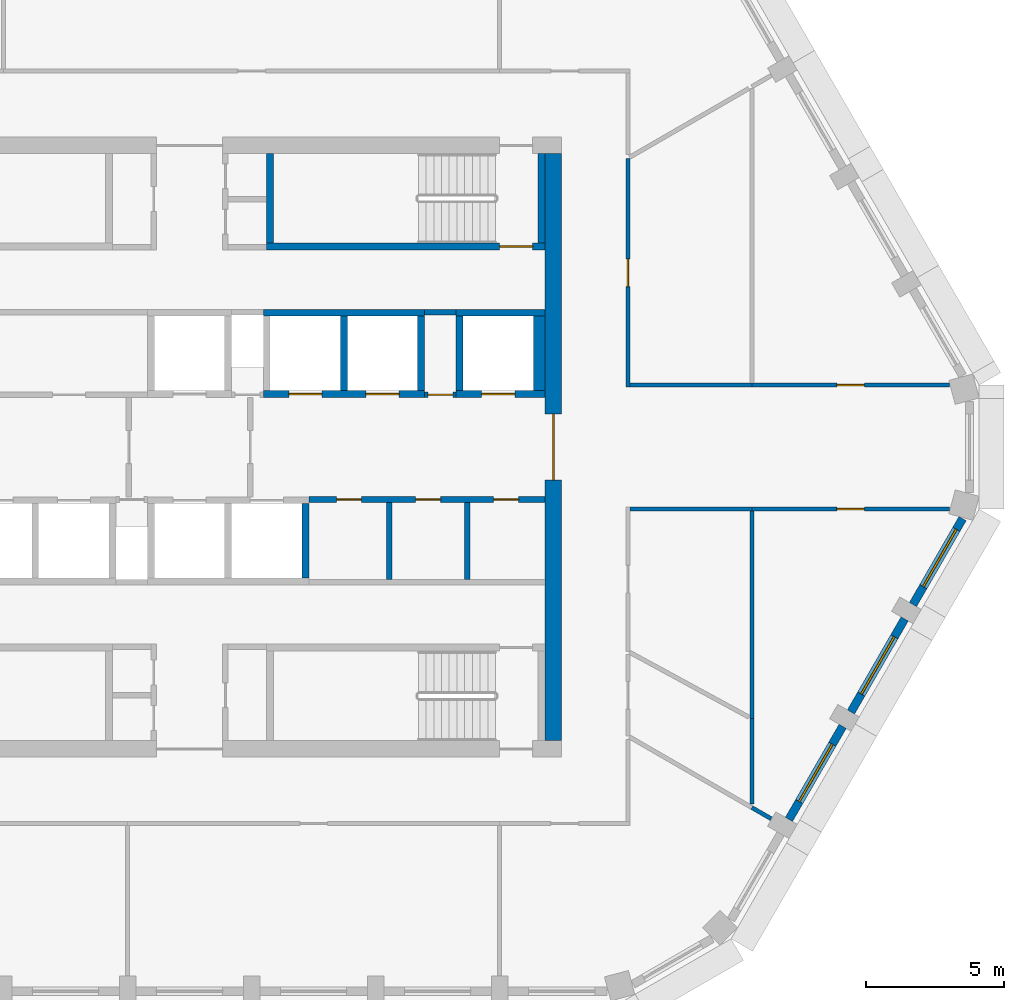
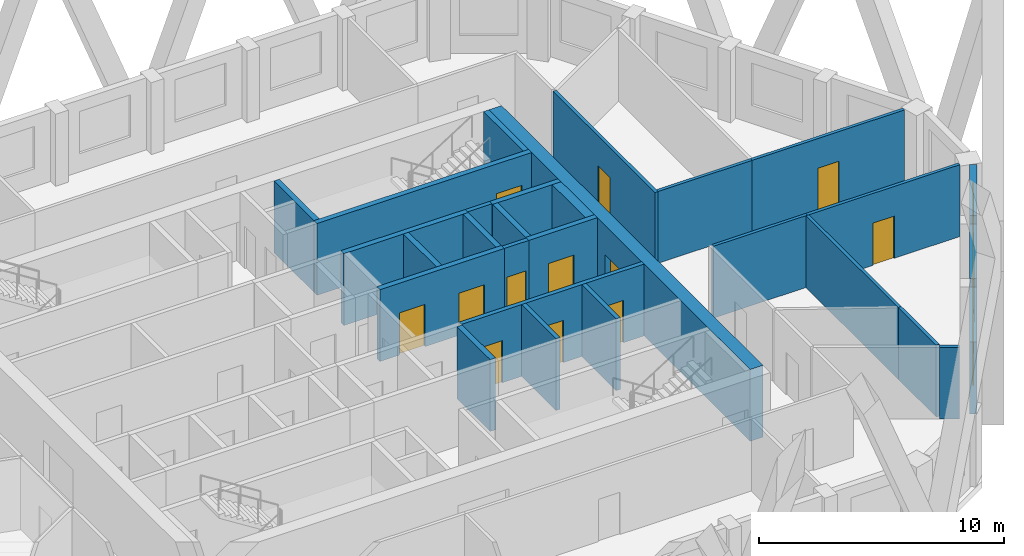
# One storey, part 5 of 14: 29 walls, 12 doors, 3 windows, 15 openings.
"""IFC4 building model written with IfcOpenShell, lengths in metres."""

from ifc_helpers import new_model, si_unit, direction, frame, frame_2d, origin, place, context, subcontext, project, spatial, polyline, rectangle, outline, extrude, material, layer, layer_set, type_object, element, fill, save


model = new_model("IFC4")

# Units and contexts
model_context = context("Model", 3, precision=1e-05, world=origin(), true_north=direction((0.0, 1.0)))
body_context = subcontext(model_context, "Body", "Model", "MODEL_VIEW")
ifc_project = project(units=[si_unit("LENGTHUNIT", "METRE"), si_unit("AREAUNIT", "SQUARE_METRE"), si_unit("VOLUMEUNIT", "CUBIC_METRE"), si_unit("PLANEANGLEUNIT", "RADIAN"), si_unit("MASSUNIT", "GRAM", prefix="KILO")], contexts=[model_context])

# Site, building, storey
site_placement = place(None, origin())
site = spatial("IfcSite", under=ifc_project, at=site_placement, CompositionType="ELEMENT")
building_placement = place(site_placement, origin())
building = spatial("IfcBuilding", under=site, at=building_placement, Name="Dhurran Vertical Campus", CompositionType="ELEMENT")
storey_placement = place(building_placement, frame((0.0, 0.0, 286.5)))
storey = spatial("IfcBuildingStorey", under=building, at=storey_placement, Name="L71", CompositionType="ELEMENT", Elevation=286.5)

# Wall, opening, window
ifc_material_1 = material(Name="Precast concrete C50/60", Category="concrete")
ifc_layer_1 = layer(ifc_material_1, 0.300048828125)
ifc_layer_set_1 = layer_set([ifc_layer_1], Name="Precast concrete C50/60")
wall_type_1 = type_object("IfcWallType", Name="Precast spandrel wall 300", PredefinedType="SOLIDWALL", material=ifc_layer_set_1)
wall_1_placement = place(storey_placement, frame((21.744384765625, -13.506103515625, 0.0), z_axis=(0.0, 0.0, 1.0), x_axis=(0.499984428715, 0.866034393683, 0.0)))
wall_1 = element("IfcWall", 1, at=wall_1_placement, inside=storey, type_object=wall_type_1, Name="EW1 L71.09", PredefinedType="SOLIDWALL", context=body_context, shape_type="SweptSolid", body=[
    extrude(rectangle(XDim=3.89892578125, YDim=0.300048828125, at=frame_2d((1.949462890625, 0.0))), origin(), (0.0, 0.0, 1.0), 3.574951171875),
])
opening_1_placement = place(wall_1_placement, frame((0.74951171875, 0.0, 0.89990234375)))
opening_1 = element("IfcOpeningElement", 2, at=opening_1_placement, cuts=wall_1, Name="Opening WT1", PredefinedType="OPENING", context=body_context, shape_type="SweptSolid", body=[
    extrude(rectangle(XDim=2.39990234375, YDim=2.10009765625, at=frame_2d((1.199951171875, 1.050048828125))), frame((0.0, 0.159912109375, 0.0), z_axis=(0.0, -1.0, 0.0), x_axis=(1.0, 0.0, 0.0)), (0.0, 0.0, 1.0), 0.320068359375),
])
ifc_material_2 = material(Name="Aluminium frame with solar-control glass", Category="aluminium")
window_type = type_object("IfcWindowType", Name="Punched window 2400 x 2100", PartitioningType="SINGLE_PANEL", PredefinedType="WINDOW", material=ifc_material_2)
window_1_placement = place(opening_1_placement, origin())
window_1 = element("IfcWindow", 3, at=window_1_placement, inside=storey, type_object=window_type, Name="WT1 L71.09", OverallHeight=2.10009765625, OverallWidth=2.39990234375, PartitioningType="SINGLE_PANEL", PredefinedType="WINDOW", context=body_context, shape_type="SweptSolid", body=[
    extrude(rectangle(XDim=2.39990234375, YDim=2.10009765625, at=frame_2d((1.199951171875, 1.050048828125))), frame((0.0, 0.030029296875, 0.0), z_axis=(0.0, -1.0, 0.0), x_axis=(1.0, 0.0, 0.0)), (0.0, 0.0, 1.0), 0.06005859375),
])
fill(opening_1, window_1)

wall_2_placement = place(storey_placement, frame((23.994384765625, -9.60888671875, 0.0), z_axis=(0.0, 0.0, 1.0), x_axis=(0.500011542666, 0.866018739521, 0.0)))
wall_2 = element("IfcWall", 4, at=wall_2_placement, inside=storey, type_object=wall_type_1, Name="EW1 L71.10", PredefinedType="SOLIDWALL", context=body_context, shape_type="SweptSolid", body=[
    extrude(rectangle(XDim=3.89892578125, YDim=0.300048828125, at=frame_2d((1.949462890625, 0.0))), origin(), (0.0, 0.0, 1.0), 3.574951171875),
])
opening_2_placement = place(wall_2_placement, frame((0.74951171875, 0.0, 0.89990234375)))
opening_2 = element("IfcOpeningElement", 5, at=opening_2_placement, cuts=wall_2, Name="Opening WT1", PredefinedType="OPENING", context=body_context, shape_type="SweptSolid", body=[
    extrude(rectangle(XDim=2.39990234375, YDim=2.10009765625, at=frame_2d((1.199951171875, 1.050048828125))), frame((0.0, 0.159912109375, 0.0), z_axis=(0.0, -1.0, 0.0), x_axis=(1.0, 0.0, 0.0)), (0.0, 0.0, 1.0), 0.320068359375),
])
window_2_placement = place(opening_2_placement, origin())
window_2 = element("IfcWindow", 6, at=window_2_placement, inside=storey, type_object=window_type, Name="WT1 L71.10", OverallHeight=2.10009765625, OverallWidth=2.39990234375, PartitioningType="SINGLE_PANEL", PredefinedType="WINDOW", context=body_context, shape_type="SweptSolid", body=[
    extrude(rectangle(XDim=2.39990234375, YDim=2.10009765625, at=frame_2d((1.199951171875, 1.050048828125))), frame((0.0, 0.030029296875, 0.0), z_axis=(0.0, -1.0, 0.0), x_axis=(1.0, 0.0, 0.0)), (0.0, 0.0, 1.0), 0.06005859375),
])
fill(opening_2, window_2)

wall_3_placement = place(storey_placement, frame((26.244384765625, -5.7119140625, 0.0), z_axis=(0.0, 0.0, 1.0), x_axis=(0.499969057507, 0.866043267704, 0.0)))
wall_3 = element("IfcWall", 7, at=wall_3_placement, inside=storey, type_object=wall_type_1, Name="EW1 L71.11", PredefinedType="SOLIDWALL", context=body_context, shape_type="SweptSolid", body=[
    extrude(rectangle(XDim=3.599365234375, YDim=0.300048828125, at=frame_2d((1.7998046875, 0.0))), origin(), (0.0, 0.0, 1.0), 3.574951171875),
])
opening_3_placement = place(wall_3_placement, frame((0.74951171875, 0.0, 0.89990234375)))
opening_3 = element("IfcOpeningElement", 8, at=opening_3_placement, cuts=wall_3, Name="Opening WT1", PredefinedType="OPENING", context=body_context, shape_type="SweptSolid", body=[
    extrude(rectangle(XDim=2.39990234375, YDim=2.10009765625, at=frame_2d((1.199951171875, 1.050048828125))), frame((0.0, 0.159912109375, 0.0), z_axis=(0.0, -1.0, 0.0), x_axis=(1.0, 0.0, 0.0)), (0.0, 0.0, 1.0), 0.320068359375),
])
window_3_placement = place(opening_3_placement, origin())
window_3 = element("IfcWindow", 9, at=window_3_placement, inside=storey, type_object=window_type, Name="WT1 L71.11", OverallHeight=2.10009765625, OverallWidth=2.39990234375, PartitioningType="SINGLE_PANEL", PredefinedType="WINDOW", context=body_context, shape_type="SweptSolid", body=[
    extrude(rectangle(XDim=2.39990234375, YDim=2.10009765625, at=frame_2d((1.199951171875, 1.050048828125))), frame((0.0, 0.030029296875, 0.0), z_axis=(0.0, -1.0, 0.0), x_axis=(1.0, 0.0, 0.0)), (0.0, 0.0, 1.0), 0.06005859375),
])
fill(opening_3, window_3)

# Wall, opening, door
ifc_material_3 = material(Name="Concrete C50/60", Category="concrete")
ifc_layer_2 = layer(ifc_material_3, 0.60009765625)
ifc_layer_set_2 = layer_set([ifc_layer_2], Name="Concrete C50/60")
wall_type_2 = type_object("IfcWallType", Name="co-CORE-WALL-C2-600", PredefinedType="SHEAR", material=ifc_layer_set_2)
wall_4_placement = place(storey_placement, frame((13.199951171875, -10.64990234375, 0.0), z_axis=(0.0, 0.0, 1.0), x_axis=(0.0, 1.0, 0.0)))
wall_4 = element("IfcWall", 10, at=wall_4_placement, inside=storey, type_object=wall_type_2, Name="Core wall E L71", PredefinedType="SHEAR", context=body_context, shape_type="SweptSolid", body=[
    extrude(rectangle(XDim=21.2998046875, YDim=0.60009765625, at=frame_2d((10.64990234375, 0.0))), origin(), (0.0, 0.0, 1.0), 3.574951171875),
])
opening_4_placement = place(wall_4_placement, frame((9.449951171875, 0.0, 0.0)))
opening_4 = element("IfcOpeningElement", 11, at=opening_4_placement, cuts=wall_4, Name="Opening CL2", PredefinedType="OPENING", context=body_context, shape_type="SweptSolid", body=[
    extrude(rectangle(XDim=2.39990234375, YDim=2.10009765625, at=frame_2d((1.199951171875, 1.050048828125))), frame((0.0, 0.31005859375, 0.0), z_axis=(0.0, -1.0, 0.0), x_axis=(1.0, 0.0, 0.0)), (0.0, 0.0, 1.0), 0.6201171875),
])
ifc_material_4 = material(Name="Fire-rated glazed door set")
door_type_1 = type_object("IfcDoorType", Name="co-D-LOBBY 2400x2100", OperationType="DOUBLE_DOOR_DOUBLE_SWING", PredefinedType="DOOR", material=ifc_material_4)
door_1_placement = place(opening_4_placement, origin())
door_1 = element("IfcDoor", 12, at=door_1_placement, inside=storey, type_object=door_type_1, Name="Lift lobby door E L71", OperationType="DOUBLE_DOOR_DOUBLE_SWING", OverallHeight=2.10009765625, OverallWidth=2.39990234375, PredefinedType="DOOR", context=body_context, shape_type="SweptSolid", body=[
    extrude(rectangle(XDim=2.39990234375, YDim=2.10009765625, at=frame_2d((1.199951171875, 1.050048828125))), frame((0.0, 0.02490234375, 0.0), z_axis=(0.0, -1.0, 0.0), x_axis=(1.0, 0.0, 0.0)), (0.0, 0.0, 1.0), 0.050048828125),
])
fill(opening_4, door_1)

ifc_material_5 = material(Name="Fire-rated masonry blockwork", Category="masonry")
ifc_layer_3 = layer(ifc_material_5, 0.199951171875)
ifc_layer_set_3 = layer_set([ifc_layer_3], Name="Fire-rated masonry blockwork")
wall_type_3 = type_object("IfcWallType", Name="co-FIRE-PARTITION-200", PredefinedType="PARTITIONING", material=ifc_layer_set_3)
wall_5_placement = place(storey_placement, frame((8.52490234375, 1.89990234375, 0.0), z_axis=(0.0, 0.0, 1.0), x_axis=(1.0, 0.0, 0.0)))
wall_5 = element("IfcWall", 13, at=wall_5_placement, inside=storey, type_object=wall_type_3, Name="Core partition fr-N2-f L71", PredefinedType="PARTITIONING", context=body_context, shape_type="SweptSolid", body=[
    extrude(rectangle(XDim=1.150146484375, YDim=0.199951171875, at=frame_2d((0.5751953125, 0.0))), origin(), (0.0, 0.0, 1.0), 3.574951171875),
])
opening_5_placement = place(wall_5_placement, frame((0.125, 0.0, 0.0)))
opening_5 = element("IfcOpeningElement", 14, at=opening_5_placement, cuts=wall_5, Name="Opening T21-C10", PredefinedType="OPENING", context=body_context, shape_type="SweptSolid", body=[
    extrude(rectangle(XDim=0.89990234375, YDim=2.10009765625, at=frame_2d((0.449951171875, 1.050048828125))), frame((0.0, 0.10986328125, 0.0), z_axis=(0.0, -1.0, 0.0), x_axis=(1.0, 0.0, 0.0)), (0.0, 0.0, 1.0), 0.219970703125),
])
ifc_material_6 = material(Name="Fire-rated timber door set", Category="wood")
door_type_2 = type_object("IfcDoorType", Name="co-D-ROOM 900x2100", OperationType="SINGLE_SWING_LEFT", PredefinedType="DOOR", material=ifc_material_6)
door_2_placement = place(opening_5_placement, origin())
door_2 = element("IfcDoor", 15, at=door_2_placement, inside=storey, type_object=door_type_2, Name="Communications riser door L71", OperationType="SINGLE_SWING_LEFT", OverallHeight=2.10009765625, OverallWidth=0.89990234375, PredefinedType="DOOR", context=body_context, shape_type="SweptSolid", body=[
    extrude(rectangle(XDim=0.89990234375, YDim=2.10009765625, at=frame_2d((0.449951171875, 1.050048828125))), frame((0.0, 0.02490234375, 0.0), z_axis=(0.0, -1.0, 0.0), x_axis=(1.0, 0.0, 0.0)), (0.0, 0.0, 1.0), 0.050048828125),
])
fill(opening_5, door_2)

# Walls
wall_6_placement = place(storey_placement, frame((8.52490234375, 4.89990234375, 0.0), z_axis=(0.0, 0.0, 1.0), x_axis=(1.0, 0.0, 0.0)))
element("IfcWall", 16, at=wall_6_placement, inside=storey, type_object=wall_type_3, Name="Core partition fr-N2-b L71", PredefinedType="PARTITIONING", context=body_context, shape_type="SweptSolid", body=[
    extrude(rectangle(XDim=1.150146484375, YDim=0.199951171875, at=frame_2d((0.5751953125, 0.0))), origin(), (0.0, 0.0, 1.0), 3.574951171875),
])
for number, where, z_axis, x_axis, name in (
    (17, (7.240478515625, -4.800048828125, 0.0), (0.0, 0.0, 1.0), (0.0, 1.0, 0.0), "Core partition fr-S2-cut0 L71"),
    (18, (10.0703125, -4.800048828125, 0.0), (0.0, 0.0, 1.0), (0.0, 1.0, 0.0), "Core partition fr-S2-cut1 L71"),
):
    element("IfcWall", number, at=place(storey_placement, frame(where, z_axis=z_axis, x_axis=x_axis)), inside=storey, type_object=wall_type_3, Name=name, PredefinedType="PARTITIONING", context=body_context, shape_type="SweptSolid", body=[
        extrude(rectangle(XDim=2.800048828125, YDim=0.199951171875, at=frame_2d((1.39990234375, 0.0))), origin(), (0.0, 0.0, 1.0), 3.574951171875),
    ])

# Wall, openings, doors
wall_7_placement = place(storey_placement, frame((4.324951171875, -1.89990234375, 0.0), z_axis=(0.0, 0.0, 1.0), x_axis=(1.0, 0.0, 0.0)))
wall_7 = element("IfcWall", 19, at=wall_7_placement, inside=storey, type_object=wall_type_3, Name="Core partition fr-S2-f L71", PredefinedType="PARTITIONING", context=body_context, shape_type="SweptSolid", body=[
    extrude(rectangle(XDim=8.574951171875, YDim=0.199951171875, at=frame_2d((4.28759765625, 0.0))), origin(), (0.0, 0.0, 1.0), 3.574951171875),
])
opening_6_placement = place(wall_7_placement, frame((1.0078125, 0.0, 0.0)))
opening_6 = element("IfcOpeningElement", 20, at=opening_6_placement, cuts=wall_7, Name="Opening T21-C13", PredefinedType="OPENING", context=body_context, shape_type="SweptSolid", body=[
    extrude(rectangle(XDim=0.89990234375, YDim=2.10009765625, at=frame_2d((0.449951171875, 1.050048828125))), frame((0.0, 0.10986328125, 0.0), z_axis=(0.0, -1.0, 0.0), x_axis=(1.0, 0.0, 0.0)), (0.0, 0.0, 1.0), 0.219970703125),
])
opening_7_placement = place(wall_7_placement, frame((3.88037109375, 0.0, 0.0)))
opening_7 = element("IfcOpeningElement", 21, at=opening_7_placement, cuts=wall_7, Name="Opening T21-C14", PredefinedType="OPENING", context=body_context, shape_type="SweptSolid", body=[
    extrude(rectangle(XDim=0.89990234375, YDim=2.10009765625, at=frame_2d((0.449951171875, 1.050048828125))), frame((0.0, 0.10986328125, 0.0), z_axis=(0.0, -1.0, 0.0), x_axis=(1.0, 0.0, 0.0)), (0.0, 0.0, 1.0), 0.219970703125),
])
opening_8_placement = place(wall_7_placement, frame((6.710205078125, 0.0, 0.0)))
opening_8 = element("IfcOpeningElement", 22, at=opening_8_placement, cuts=wall_7, Name="Opening T21-C15", PredefinedType="OPENING", context=body_context, shape_type="SweptSolid", body=[
    extrude(rectangle(XDim=0.89990234375, YDim=2.10009765625, at=frame_2d((0.449951171875, 1.050048828125))), frame((0.0, 0.10986328125, 0.0), z_axis=(0.0, -1.0, 0.0), x_axis=(1.0, 0.0, 0.0)), (0.0, 0.0, 1.0), 0.219970703125),
])
door_3_placement = place(opening_6_placement, origin())
door_3 = element("IfcDoor", 23, at=door_3_placement, inside=storey, type_object=door_type_2, Name="Housekeeping store door L71", OperationType="SINGLE_SWING_LEFT", OverallHeight=2.10009765625, OverallWidth=0.89990234375, PredefinedType="DOOR", context=body_context, shape_type="SweptSolid", body=[
    extrude(rectangle(XDim=0.89990234375, YDim=2.10009765625, at=frame_2d((0.449951171875, 1.050048828125))), frame((0.0, 0.02490234375, 0.0), z_axis=(0.0, -1.0, 0.0), x_axis=(1.0, 0.0, 0.0)), (0.0, 0.0, 1.0), 0.050048828125),
])
fill(opening_6, door_3)
door_4_placement = place(opening_7_placement, origin())
door_4 = element("IfcDoor", 24, at=door_4_placement, inside=storey, type_object=door_type_2, Name="Print room door L71", OperationType="SINGLE_SWING_LEFT", OverallHeight=2.10009765625, OverallWidth=0.89990234375, PredefinedType="DOOR", context=body_context, shape_type="SweptSolid", body=[
    extrude(rectangle(XDim=0.89990234375, YDim=2.10009765625, at=frame_2d((0.449951171875, 1.050048828125))), frame((0.0, 0.02490234375, 0.0), z_axis=(0.0, -1.0, 0.0), x_axis=(1.0, 0.0, 0.0)), (0.0, 0.0, 1.0), 0.050048828125),
])
fill(opening_7, door_4)
door_5_placement = place(opening_8_placement, origin())
door_5 = element("IfcDoor", 25, at=door_5_placement, inside=storey, type_object=door_type_2, Name="Communications room door L71", OperationType="SINGLE_SWING_LEFT", OverallHeight=2.10009765625, OverallWidth=0.89990234375, PredefinedType="DOOR", context=body_context, shape_type="SweptSolid", body=[
    extrude(rectangle(XDim=0.89990234375, YDim=2.10009765625, at=frame_2d((0.449951171875, 1.050048828125))), frame((0.0, 0.02490234375, 0.0), z_axis=(0.0, -1.0, 0.0), x_axis=(1.0, 0.0, 0.0)), (0.0, 0.0, 1.0), 0.050048828125),
])
fill(opening_8, door_5)

ifc_material_7 = material(Name="Concrete C50/60", Category="concrete")
ifc_layer_4 = layer(ifc_material_7, 0.25)
ifc_layer_set_4 = layer_set([ifc_layer_4], Name="Concrete C50/60")
wall_type_4 = type_object("IfcWallType", Name="co-SHAFT-FRONT-250", PredefinedType="SHEAR", material=ifc_layer_set_4)
wall_8_placement = place(storey_placement, frame((2.675048828125, 1.925048828125, 0.0), z_axis=(0.0, 0.0, 1.0), x_axis=(1.0, 0.0, 0.0)))
wall_8 = element("IfcWall", 26, at=wall_8_placement, inside=storey, type_object=wall_type_4, Name="Lift landing wall N L71", PredefinedType="SHEAR", context=body_context, shape_type="SweptSolid", body=[
    extrude(rectangle(XDim=5.849853515625, YDim=0.25, at=frame_2d((2.9248046875, 0.0))), origin(), (0.0, 0.0, 1.0), 3.574951171875),
])
opening_9_placement = place(wall_8_placement, frame((0.925048828125, 0.0, 0.0)))
opening_9 = element("IfcOpeningElement", 27, at=opening_9_placement, cuts=wall_8, Name="Opening LD", PredefinedType="OPENING", context=body_context, shape_type="SweptSolid", body=[
    extrude(rectangle(XDim=1.199951171875, YDim=2.10009765625, at=frame_2d((0.60009765625, 1.050048828125))), frame((0.0, 0.135009765625, 0.0), z_axis=(0.0, -1.0, 0.0), x_axis=(1.0, 0.0, 0.0)), (0.0, 0.0, 1.0), 0.27001953125),
])
opening_10_placement = place(wall_8_placement, frame((3.72509765625, 0.0, 0.0)))
opening_10 = element("IfcOpeningElement", 28, at=opening_10_placement, cuts=wall_8, Name="Opening LD", PredefinedType="OPENING", context=body_context, shape_type="SweptSolid", body=[
    extrude(rectangle(XDim=1.199951171875, YDim=2.10009765625, at=frame_2d((0.60009765625, 1.050048828125))), frame((0.0, 0.135009765625, 0.0), z_axis=(0.0, -1.0, 0.0), x_axis=(1.0, 0.0, 0.0)), (0.0, 0.0, 1.0), 0.27001953125),
])
ifc_material_8 = material(Name="Stainless steel landing door", Category="steel")
door_type_3 = type_object("IfcDoorType", Name="co-D-LANDING 1200x2100", OperationType="DOUBLE_DOOR_SLIDING", PredefinedType="DOOR", material=ifc_material_8)
door_6_placement = place(opening_9_placement, origin())
door_6 = element("IfcDoor", 29, at=door_6_placement, inside=storey, type_object=door_type_3, Name="Landing door HR1 L71", OperationType="DOUBLE_DOOR_SLIDING", OverallHeight=2.10009765625, OverallWidth=1.199951171875, PredefinedType="DOOR", context=body_context, shape_type="SweptSolid", body=[
    extrude(rectangle(XDim=1.199951171875, YDim=2.10009765625, at=frame_2d((0.60009765625, 1.050048828125))), frame((0.0, 0.02490234375, 0.0), z_axis=(0.0, -1.0, 0.0), x_axis=(1.0, 0.0, 0.0)), (0.0, 0.0, 1.0), 0.050048828125),
])
fill(opening_9, door_6)
door_7_placement = place(opening_10_placement, origin())
door_7 = element("IfcDoor", 30, at=door_7_placement, inside=storey, type_object=door_type_3, Name="Landing door HR2 L71", OperationType="DOUBLE_DOOR_SLIDING", OverallHeight=2.10009765625, OverallWidth=1.199951171875, PredefinedType="DOOR", context=body_context, shape_type="SweptSolid", body=[
    extrude(rectangle(XDim=1.199951171875, YDim=2.10009765625, at=frame_2d((0.60009765625, 1.050048828125))), frame((0.0, 0.02490234375, 0.0), z_axis=(0.0, -1.0, 0.0), x_axis=(1.0, 0.0, 0.0)), (0.0, 0.0, 1.0), 0.050048828125),
])
fill(opening_10, door_7)

# Wall, opening, door
wall_9_placement = place(storey_placement, frame((9.675048828125, 1.925048828125, 0.0), z_axis=(0.0, 0.0, 1.0), x_axis=(1.0, 0.0, 0.0)))
wall_9 = element("IfcWall", 31, at=wall_9_placement, inside=storey, type_object=wall_type_4, Name="Lift landing wall N L71", PredefinedType="SHEAR", context=body_context, shape_type="SweptSolid", body=[
    extrude(rectangle(XDim=3.224853515625, YDim=0.25, at=frame_2d((1.6123046875, 0.0))), origin(), (0.0, 0.0, 1.0), 3.574951171875),
])
opening_11_placement = place(wall_9_placement, frame((0.925048828125, 0.0, 0.0)))
opening_11 = element("IfcOpeningElement", 32, at=opening_11_placement, cuts=wall_9, Name="Opening LD", PredefinedType="OPENING", context=body_context, shape_type="SweptSolid", body=[
    extrude(rectangle(XDim=1.199951171875, YDim=2.10009765625, at=frame_2d((0.60009765625, 1.050048828125))), frame((0.0, 0.135009765625, 0.0), z_axis=(0.0, -1.0, 0.0), x_axis=(1.0, 0.0, 0.0)), (0.0, 0.0, 1.0), 0.27001953125),
])
door_8_placement = place(opening_11_placement, origin())
door_8 = element("IfcDoor", 33, at=door_8_placement, inside=storey, type_object=door_type_3, Name="Landing door SV2 L71", OperationType="DOUBLE_DOOR_SLIDING", OverallHeight=2.10009765625, OverallWidth=1.199951171875, PredefinedType="DOOR", context=body_context, shape_type="SweptSolid", body=[
    extrude(rectangle(XDim=1.199951171875, YDim=2.10009765625, at=frame_2d((0.60009765625, 1.050048828125))), frame((0.0, 0.02490234375, 0.0), z_axis=(0.0, -1.0, 0.0), x_axis=(1.0, 0.0, 0.0)), (0.0, 0.0, 1.0), 0.050048828125),
])
fill(opening_11, door_8)

# Walls
ifc_material_9 = material(Name="Concrete C50/60", Category="concrete")
ifc_layer_5 = layer(ifc_material_9, 0.25)
ifc_layer_set_5 = layer_set([ifc_layer_5], Name="Concrete C50/60")
wall_type_5 = type_object("IfcWallType", Name="co-SHAFT-MASS-250", PredefinedType="SHEAR", material=ifc_layer_set_5)
wall_10_placement = place(storey_placement, origin())
element("IfcWall", 34, at=wall_10_placement, inside=storey, type_object=wall_type_5, Name="Lift shaft wall N L71 2", PredefinedType="SHEAR", context=body_context, shape_type="SweptSolid", body=[
    extrude(outline(polyline([(2.675048828125, 4.75), (8.52490234375, 4.75), (8.52490234375, 5.0), (2.675048828125, 5.0), (2.675048828125, 4.75)])), origin(), (0.0, 0.0, 1.0), 3.574951171875),
])
wall_11_placement = place(storey_placement, origin())
element("IfcWall", 35, at=wall_11_placement, inside=storey, type_object=wall_type_5, Name="Lift shaft wall N L71 3", PredefinedType="SHEAR", context=body_context, shape_type="SweptSolid", body=[
    extrude(outline(polyline([(9.675048828125, 4.75), (12.89990234375, 4.75), (12.89990234375, 5.0), (9.675048828125, 5.0), (9.675048828125, 4.75)])), origin(), (0.0, 0.0, 1.0), 3.574951171875),
])
wall_12_placement = place(storey_placement, origin())
element("IfcWall", 36, at=wall_12_placement, inside=storey, type_object=wall_type_5, Name="Lift shaft wall N L71 7", PredefinedType="SHEAR", context=body_context, shape_type="SweptSolid", body=[
    extrude(outline(polyline([(5.47509765625, 2.050048828125), (5.72509765625, 2.050048828125), (5.72509765625, 4.75), (5.47509765625, 4.75), (5.47509765625, 2.050048828125)])), origin(), (0.0, 0.0, 1.0), 3.574951171875),
])
wall_13_placement = place(storey_placement, origin())
element("IfcWall", 37, at=wall_13_placement, inside=storey, type_object=wall_type_5, Name="Lift shaft wall N L71 8", PredefinedType="SHEAR", context=body_context, shape_type="SweptSolid", body=[
    extrude(outline(polyline([(8.27490234375, 2.050048828125), (8.52490234375, 2.050048828125), (8.52490234375, 4.75), (8.27490234375, 4.75), (8.27490234375, 2.050048828125)])), origin(), (0.0, 0.0, 1.0), 3.574951171875),
])
wall_14_placement = place(storey_placement, origin())
element("IfcWall", 38, at=wall_14_placement, inside=storey, type_object=wall_type_5, Name="Lift shaft wall N L71 9", PredefinedType="SHEAR", context=body_context, shape_type="SweptSolid", body=[
    extrude(outline(polyline([(9.675048828125, 2.050048828125), (9.925048828125, 2.050048828125), (9.925048828125, 4.75), (9.675048828125, 4.75), (9.675048828125, 2.050048828125)])), origin(), (0.0, 0.0, 1.0), 3.574951171875),
])
wall_15_placement = place(storey_placement, origin())
element("IfcWall", 39, at=wall_15_placement, inside=storey, type_object=wall_type_5, Name="Lift shaft wall N L71 10", PredefinedType="SHEAR", context=body_context, shape_type="SweptSolid", body=[
    extrude(outline(polyline([(12.47509765625, 2.050048828125), (12.89990234375, 2.050048828125), (12.89990234375, 4.75), (12.47509765625, 4.75), (12.47509765625, 2.050048828125)])), origin(), (0.0, 0.0, 1.0), 3.574951171875),
])
wall_16_placement = place(storey_placement, origin())
element("IfcWall", 40, at=wall_16_placement, inside=storey, type_object=wall_type_5, Name="Lift shaft wall S L71 9", PredefinedType="SHEAR", context=body_context, shape_type="SweptSolid", body=[
    extrude(outline(polyline([(4.074951171875, -4.75), (4.324951171875, -4.75), (4.324951171875, -2.050048828125), (4.074951171875, -2.050048828125), (4.074951171875, -4.75)])), origin(), (0.0, 0.0, 1.0), 3.574951171875),
])

# Wall, opening, door
ifc_material_10 = material(Name="Concrete C40/50", Category="concrete")
ifc_layer_6 = layer(ifc_material_10, 0.25)
ifc_layer_set_6 = layer_set([ifc_layer_6], Name="Concrete C40/50")
wall_type_6 = type_object("IfcWallType", Name="co-STAIR-WALL-250", PredefinedType="SHEAR", material=ifc_layer_set_6)
wall_17_placement = place(storey_placement, frame((2.800048828125, 7.27490234375, 0.0), z_axis=(0.0, 0.0, 1.0), x_axis=(1.0, 0.0, 0.0)))
wall_17 = element("IfcWall", 41, at=wall_17_placement, inside=storey, type_object=wall_type_6, Name="Stair ST2 enclosure wall L71", PredefinedType="SHEAR", context=body_context, shape_type="SweptSolid", body=[
    extrude(rectangle(XDim=10.099853515625, YDim=0.25, at=frame_2d((5.0498046875, 0.0))), origin(), (0.0, 0.0, 1.0), 3.574951171875),
])
opening_12_placement = place(wall_17_placement, frame((8.449951171875, 0.0, 0.0)))
opening_12 = element("IfcOpeningElement", 42, at=opening_12_placement, cuts=wall_17, Name="Opening SD2", PredefinedType="OPENING", context=body_context, shape_type="SweptSolid", body=[
    extrude(rectangle(XDim=1.199951171875, YDim=2.10009765625, at=frame_2d((0.60009765625, 1.050048828125))), frame((0.0, 0.135009765625, 0.0), z_axis=(0.0, -1.0, 0.0), x_axis=(1.0, 0.0, 0.0)), (0.0, 0.0, 1.0), 0.27001953125),
])
ifc_material_11 = material(Name="Fire-rated steel door set", Category="steel")
door_type_4 = type_object("IfcDoorType", Name="co-D-STAIR 1200x2100", OperationType="SINGLE_SWING_LEFT", PredefinedType="DOOR", material=ifc_material_11)
door_9_placement = place(opening_12_placement, origin())
door_9 = element("IfcDoor", 43, at=door_9_placement, inside=storey, type_object=door_type_4, Name="Stair ST2 door L71", OperationType="SINGLE_SWING_LEFT", OverallHeight=2.10009765625, OverallWidth=1.199951171875, PredefinedType="DOOR", context=body_context, shape_type="SweptSolid", body=[
    extrude(rectangle(XDim=1.199951171875, YDim=2.10009765625, at=frame_2d((0.60009765625, 1.050048828125))), frame((0.0, 0.02490234375, 0.0), z_axis=(0.0, -1.0, 0.0), x_axis=(1.0, 0.0, 0.0)), (0.0, 0.0, 1.0), 0.050048828125),
])
fill(opening_12, door_9)

# Walls
for number, where, z_axis, x_axis, name in (
    (44, (2.925048828125, 7.39990234375, 0.0), (0.0, 0.0, 1.0), (0.0, 1.0, 0.0), "Stair ST2 enclosure wall L71"),
    (45, (12.77490234375, 7.39990234375, 0.0), (0.0, 0.0, 1.0), (0.0, 1.0, 0.0), "Stair ST2 enclosure wall L71"),
):
    element("IfcWall", number, at=place(storey_placement, frame(where, z_axis=z_axis, x_axis=x_axis)), inside=storey, type_object=wall_type_6, Name=name, PredefinedType="SHEAR", context=body_context, shape_type="SweptSolid", body=[
        extrude(rectangle(XDim=3.25, YDim=0.25, at=frame_2d((1.625, 0.0))), origin(), (0.0, 0.0, 1.0), 3.574951171875),
    ])
ifc_material_12 = material(Name="Gypsum board corridor wall on steel studs", Category="steel")
ifc_layer_7 = layer(ifc_material_12, 0.14990234375)
ifc_layer_set_7 = layer_set([ifc_layer_7], Name="Gypsum board corridor wall on steel studs")
wall_type_7 = type_object("IfcWallType", Name="fl-CW-150 corridor wall", PredefinedType="PARTITIONING", material=ifc_layer_set_7)
wall_18_placement = place(storey_placement, frame((20.39990234375, -2.25, 0.0), z_axis=(0.0, 0.0, 1.0), x_axis=(-1.0, 0.0, 0.0)))
element("IfcWall", 46, at=wall_18_placement, inside=storey, type_object=wall_type_7, Name="Partition 71-27", PredefinedType="PARTITIONING", context=body_context, shape_type="SweptSolid", body=[
    extrude(rectangle(XDim=4.4248046875, YDim=0.14990234375, at=frame_2d((2.21240234375, 0.0))), origin(), (0.0, 0.0, 1.0), 3.574951171875),
])

# Wall, opening, door
wall_19_placement = place(storey_placement, frame((15.89990234375, 2.175048828125, 0.0), z_axis=(0.0, 0.0, 1.0), x_axis=(0.0, 1.0, 0.0)))
wall_19 = element("IfcWall", 47, at=wall_19_placement, inside=storey, type_object=wall_type_7, Name="Partition 71-28", PredefinedType="PARTITIONING", context=body_context, shape_type="SweptSolid", body=[
    extrude(rectangle(XDim=8.303955078125, YDim=0.14990234375, at=frame_2d((4.15185546875, 0.0))), origin(), (0.0, 0.0, 1.0), 3.574951171875),
])
opening_13_placement = place(wall_19_placement, frame((3.652099609375, 0.0, 0.0)))
opening_13 = element("IfcOpeningElement", 48, at=opening_13_placement, cuts=wall_19, Name="Opening T21.12", PredefinedType="OPENING", context=body_context, shape_type="SweptSolid", body=[
    extrude(rectangle(XDim=1.0, YDim=2.10009765625, at=frame_2d((0.5, 1.050048828125))), frame((0.0, 0.0849609375, 0.0), z_axis=(0.0, -1.0, 0.0), x_axis=(1.0, 0.0, 0.0)), (0.0, 0.0, 1.0), 0.169921875),
])
ifc_material_13 = material(Name="Solid-core timber door set, fire-rated", Category="wood")
door_type_5 = type_object("IfcDoorType", Name="fl-D-1000x2100", OperationType="SINGLE_SWING_LEFT", PredefinedType="DOOR", material=ifc_material_13)
door_10_placement = place(opening_13_placement, origin())
door_10 = element("IfcDoor", 49, at=door_10_placement, inside=storey, type_object=door_type_5, Name="Door 71.12", OperationType="SINGLE_SWING_RIGHT", OverallHeight=2.10009765625, OverallWidth=1.0, PredefinedType="DOOR", context=body_context, shape_type="SweptSolid", body=[
    extrude(rectangle(XDim=1.0, YDim=2.10009765625, at=frame_2d((0.5, 1.050048828125))), frame((0.0, 0.02490234375, 0.0), z_axis=(0.0, -1.0, 0.0), x_axis=(1.0, 0.0, 0.0)), (0.0, 0.0, 1.0), 0.050048828125),
])
fill(opening_13, door_10)

# Wall
wall_20_placement = place(storey_placement, frame((15.97509765625, 2.25, 0.0), z_axis=(0.0, 0.0, 1.0), x_axis=(1.0, 0.0, 0.0)))
element("IfcWall", 50, at=wall_20_placement, inside=storey, type_object=wall_type_7, Name="Partition 71-29", PredefinedType="PARTITIONING", context=body_context, shape_type="SweptSolid", body=[
    extrude(rectangle(XDim=4.4248046875, YDim=0.14990234375, at=frame_2d((2.21240234375, 0.0))), origin(), (0.0, 0.0, 1.0), 3.574951171875),
])

# Wall, opening, door
wall_21_placement = place(storey_placement, frame((27.56982421875, -2.25, 0.0), z_axis=(0.0, 0.0, 1.0), x_axis=(-1.0, 0.0, 0.0)))
wall_21 = element("IfcWall", 51, at=wall_21_placement, inside=storey, type_object=wall_type_7, Name="Partition 71-35", PredefinedType="PARTITIONING", context=body_context, shape_type="SweptSolid", body=[
    extrude(rectangle(XDim=7.169921875, YDim=0.14990234375, at=frame_2d((3.5849609375, 0.0))), origin(), (0.0, 0.0, 1.0), 3.574951171875),
])
opening_14_placement = place(wall_21_placement, frame((3.0849609375, 0.0, 0.0)))
opening_14 = element("IfcOpeningElement", 52, at=opening_14_placement, cuts=wall_21, Name="Opening T21.14", PredefinedType="OPENING", context=body_context, shape_type="SweptSolid", body=[
    extrude(rectangle(XDim=1.0, YDim=2.10009765625, at=frame_2d((0.5, 1.050048828125))), frame((0.0, 0.0849609375, 0.0), z_axis=(0.0, -1.0, 0.0), x_axis=(1.0, 0.0, 0.0)), (0.0, 0.0, 1.0), 0.169921875),
])
door_11_placement = place(opening_14_placement, origin())
door_11 = element("IfcDoor", 53, at=door_11_placement, inside=storey, type_object=door_type_5, Name="Door 71.14", OperationType="SINGLE_SWING_LEFT", OverallHeight=2.10009765625, OverallWidth=1.0, PredefinedType="DOOR", context=body_context, shape_type="SweptSolid", body=[
    extrude(rectangle(XDim=1.0, YDim=2.10009765625, at=frame_2d((0.5, 1.050048828125))), frame((0.0, 0.02490234375, 0.0), z_axis=(0.0, -1.0, 0.0), x_axis=(1.0, 0.0, 0.0)), (0.0, 0.0, 1.0), 0.050048828125),
])
fill(opening_14, door_11)

wall_22_placement = place(storey_placement, frame((20.39990234375, 2.25, 0.0), z_axis=(0.0, 0.0, 1.0), x_axis=(1.0, 0.0, 0.0)))
wall_22 = element("IfcWall", 54, at=wall_22_placement, inside=storey, type_object=wall_type_7, Name="Partition 71-37", PredefinedType="PARTITIONING", context=body_context, shape_type="SweptSolid", body=[
    extrude(rectangle(XDim=7.169921875, YDim=0.14990234375, at=frame_2d((3.5849609375, 0.0))), origin(), (0.0, 0.0, 1.0), 3.574951171875),
])
opening_15_placement = place(wall_22_placement, frame((3.0849609375, 0.0, 0.0)))
opening_15 = element("IfcOpeningElement", 55, at=opening_15_placement, cuts=wall_22, Name="Opening T21.15", PredefinedType="OPENING", context=body_context, shape_type="SweptSolid", body=[
    extrude(rectangle(XDim=1.0, YDim=2.10009765625, at=frame_2d((0.5, 1.050048828125))), frame((0.0, 0.0849609375, 0.0), z_axis=(0.0, -1.0, 0.0), x_axis=(1.0, 0.0, 0.0)), (0.0, 0.0, 1.0), 0.169921875),
])
door_12_placement = place(opening_15_placement, origin())
door_12 = element("IfcDoor", 56, at=door_12_placement, inside=storey, type_object=door_type_5, Name="Door 71.15", OperationType="SINGLE_SWING_RIGHT", OverallHeight=2.10009765625, OverallWidth=1.0, PredefinedType="DOOR", context=body_context, shape_type="SweptSolid", body=[
    extrude(rectangle(XDim=1.0, YDim=2.10009765625, at=frame_2d((0.5, 1.050048828125))), frame((0.0, 0.02490234375, 0.0), z_axis=(0.0, -1.0, 0.0), x_axis=(1.0, 0.0, 0.0)), (0.0, 0.0, 1.0), 0.050048828125),
])
fill(opening_15, door_12)

# Walls
ifc_material_14 = material(Name="Gypsum board partition on steel studs", Category="steel")
ifc_layer_8 = layer(ifc_material_14, 0.14990234375)
ifc_layer_set_8 = layer_set([ifc_layer_8], Name="Gypsum board partition on steel studs")
wall_type_8 = type_object("IfcWallType", Name="fl-PW-150 fixed partition", PredefinedType="PARTITIONING", material=ifc_layer_set_8)
wall_23_placement = place(storey_placement, frame((20.39990234375, -9.85400390625, 0.0), z_axis=(0.0, 0.0, 1.0), x_axis=(0.0, -1.0, 0.0)))
element("IfcWall", 57, at=wall_23_placement, inside=storey, type_object=wall_type_8, Name="Partition 71-32", PredefinedType="PARTITIONING", context=body_context, shape_type="SweptSolid", body=[
    extrude(rectangle(XDim=3.093017578125, YDim=0.14990234375, at=frame_2d((1.54638671875, 0.0))), origin(), (0.0, 0.0, 1.0), 3.574951171875),
])
wall_24_placement = place(storey_placement, frame((20.39990234375, -13.076904296875, 0.0), z_axis=(0.0, 0.0, 1.0), x_axis=(0.866080027667, -0.499905376722, 0.0)))
element("IfcWall", 58, at=wall_24_placement, inside=storey, type_object=wall_type_8, Name="Partition 71-33", PredefinedType="PARTITIONING", context=body_context, shape_type="SweptSolid", body=[
    extrude(rectangle(XDim=0.808837890625, YDim=0.14990234375, at=frame_2d((0.404296875, 0.0))), origin(), (0.0, 0.0, 1.0), 3.574951171875),
])
wall_25_placement = place(storey_placement, frame((20.39990234375, -2.324951171875, 0.0), z_axis=(0.0, 0.0, 1.0), x_axis=(0.0, -1.0, 0.0)))
element("IfcWall", 59, at=wall_25_placement, inside=storey, type_object=wall_type_8, Name="Partition 71-34", PredefinedType="PARTITIONING", context=body_context, shape_type="SweptSolid", body=[
    extrude(rectangle(XDim=7.529052734375, YDim=0.14990234375, at=frame_2d((3.7646484375, 0.0))), origin(), (0.0, 0.0, 1.0), 3.574951171875),
])

save(model, "model.ifc")
